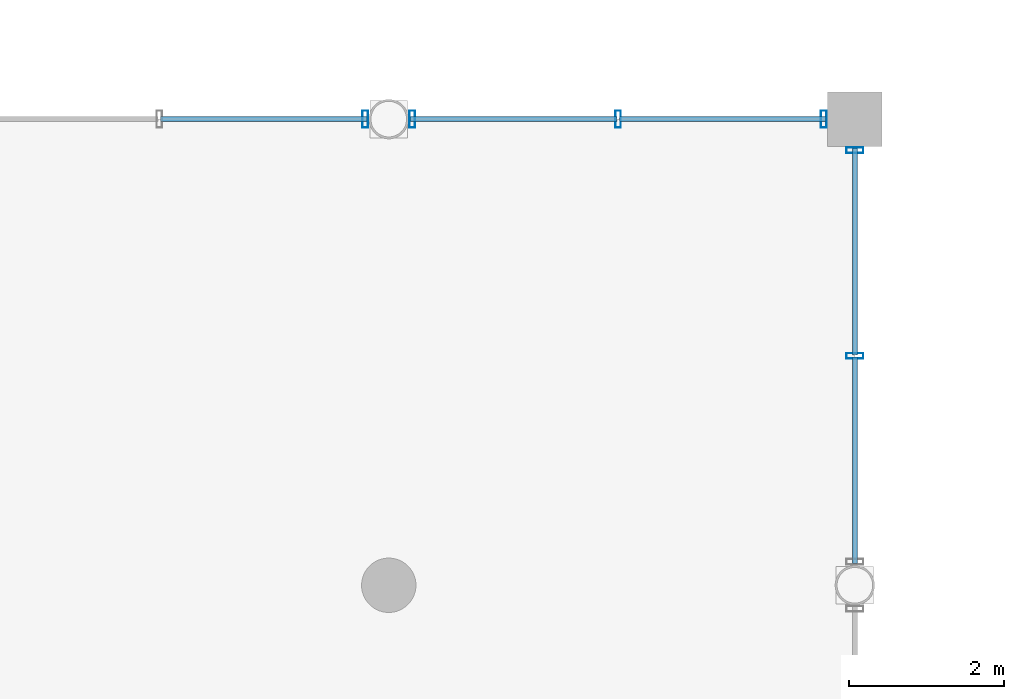
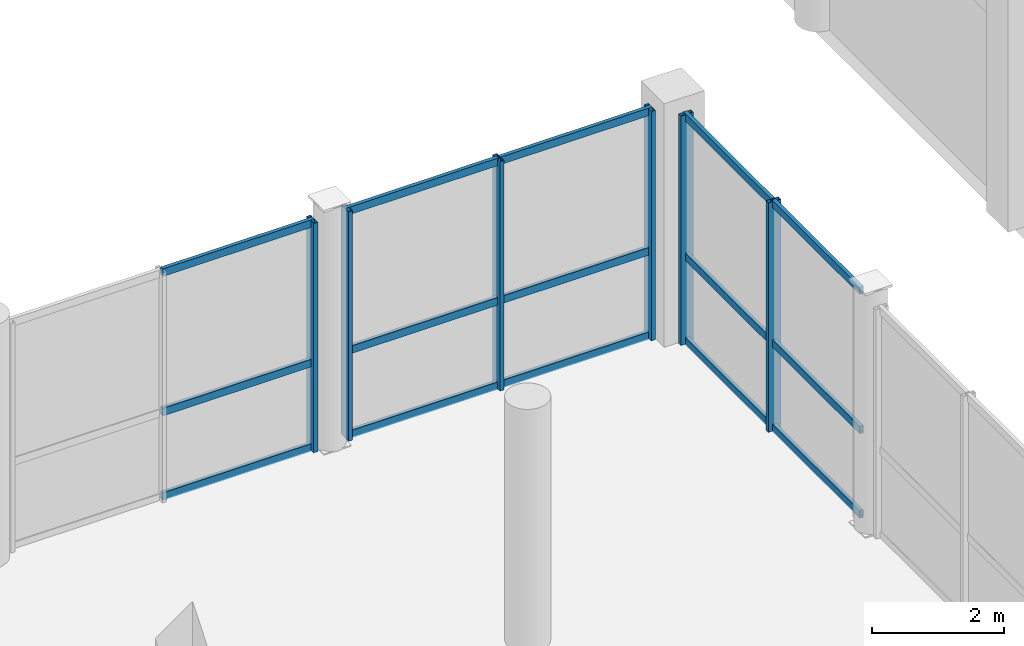
# One storey, part 62 of 116: 21 members, 3 elements without a shape of their own.
"""IFC4 building model written with IfcOpenShell, lengths in metres."""

from ifc_helpers import new_model, si_unit, direction, frame, origin, origin_2d, place, context, subcontext, project, spatial, hollow_rectangle, extrude, material, material_profile, profile_set, type_object, element, aggregate, save


model = new_model("IFC4")

# Units and contexts
model_context = context("Model", 3, precision=1e-05, world=origin(), true_north=direction((0.0, 1.0)))
body_context = subcontext(model_context, "Body", "Model", "MODEL_VIEW")
ifc_project = project(units=[si_unit("LENGTHUNIT", "METRE"), si_unit("AREAUNIT", "SQUARE_METRE"), si_unit("VOLUMEUNIT", "CUBIC_METRE"), si_unit("PLANEANGLEUNIT", "RADIAN"), si_unit("MASSUNIT", "GRAM", prefix="KILO"), si_unit("THERMODYNAMICTEMPERATUREUNIT", "KELVIN"), si_unit("POWERUNIT", "WATT")], contexts=[model_context])

# Site, building, storey
site_placement = place(None, origin())
site = spatial("IfcSite", under=ifc_project, at=site_placement, CompositionType="ELEMENT")
building_placement = place(site_placement, origin())
building = spatial("IfcBuilding", under=site, at=building_placement, Name="Phaisarnlok Congress Hotel", CompositionType="ELEMENT")
storey_placement = place(building_placement, frame((0.0, 0.0, 10.5)))
storey = spatial("IfcBuildingStorey", under=building, at=storey_placement, Name="L02", CompositionType="ELEMENT", Elevation=10.5)

# Curtain wall, members
ifc_material_1 = material(Name="Thermally Broken Unitised Aluminium & Low-E Glazing", Category="aluminium")
curtain_wall_type = type_object("IfcCurtainWallType", Name="CW-UNIT-26", PredefinedType="NOTDEFINED", material=ifc_material_1)
curtain_wall_1_placement = place(storey_placement, origin())
curtain_wall_1 = element("IfcCurtainWall", 1, at=curtain_wall_1_placement, inside=storey, type_object=curtain_wall_type, Name="Unitised curtain wall CW-26 (L02)", PredefinedType="NOTDEFINED")
ifc_material_2 = material(Name="Anodised Aluminium Alloy 6063-T6", Category="aluminium")
ifc_material_profile_1 = material_profile(ifc_material_2, hollow_rectangle(XDim=0.074951171875, YDim=0.219970703125, WallThickness=0.0048828125, at=origin_2d()), Name="ALU-M 75x220x5")
ifc_profile_set_1 = profile_set([ifc_material_profile_1], Name="Anodised Aluminium Alloy 6063-T6")
member_type_1 = type_object("IfcMemberType", Name="CWM-220", PredefinedType="MULLION", material=ifc_profile_set_1)
member_1_placement = place(storey_placement, frame((156.0, 80.951904296875, 0.0), z_axis=(0.0, 0.0, 1.0), x_axis=(0.0, 1.0, 0.0)))
member_1 = element("IfcMember", 2, at=member_1_placement, type_object=member_type_1, Name="Curtain wall mullion CWM-02", PredefinedType="MULLION", context=body_context, shape_type="SweptSolid", body=[
    extrude(hollow_rectangle(XDim=0.074951171875, YDim=0.219970703125, WallThickness=0.0048828125, at=origin_2d()), origin(), (0.0, 0.0, 1.0), 4.239990234375),
])
member_2_placement = place(storey_placement, frame((156.0, 83.60009765625, 0.0), z_axis=(0.0, 0.0, 1.0), x_axis=(0.0, 1.0, 0.0)))
member_2 = element("IfcMember", 3, at=member_2_placement, type_object=member_type_1, Name="Curtain wall mullion CWM-02", PredefinedType="MULLION", context=body_context, shape_type="SweptSolid", body=[
    extrude(hollow_rectangle(XDim=0.074951171875, YDim=0.219970703125, WallThickness=0.0048828125, at=origin_2d()), origin(), (0.0, 0.0, 1.0), 4.239990234375),
])

curtain_wall_2_placement = place(storey_placement, origin())
curtain_wall_2 = element("IfcCurtainWall", 4, at=curtain_wall_2_placement, inside=storey, type_object=curtain_wall_type, Name="Unitised curtain wall CW-26 (L02)", PredefinedType="NOTDEFINED")
member_3_placement = place(storey_placement, frame((155.60009765625, 84.0, 0.0), z_axis=(0.0, 0.0, 1.0), x_axis=(-1.0, 0.0, 0.0)))
member_3 = element("IfcMember", 5, at=member_3_placement, type_object=member_type_1, Name="Curtain wall mullion CWM-02", PredefinedType="MULLION", context=body_context, shape_type="SweptSolid", body=[
    extrude(hollow_rectangle(XDim=0.074951171875, YDim=0.219970703125, WallThickness=0.0048828125, at=origin_2d()), origin(), (0.0, 0.0, 1.0), 4.239990234375),
])
member_4_placement = place(storey_placement, frame((152.951904296875, 84.0, 0.0), z_axis=(0.0, 0.0, 1.0), x_axis=(-1.0, 0.0, 0.0)))
member_4 = element("IfcMember", 6, at=member_4_placement, type_object=member_type_1, Name="Curtain wall mullion CWM-02", PredefinedType="MULLION", context=body_context, shape_type="SweptSolid", body=[
    extrude(hollow_rectangle(XDim=0.074951171875, YDim=0.219970703125, WallThickness=0.0048828125, at=origin_2d()), origin(), (0.0, 0.0, 1.0), 4.239990234375),
])
member_5_placement = place(storey_placement, frame((150.303955078125, 84.0, 0.0), z_axis=(0.0, 0.0, 1.0), x_axis=(-1.0, 0.0, 0.0)))
member_5 = element("IfcMember", 7, at=member_5_placement, type_object=member_type_1, Name="Curtain wall mullion CWM-02", PredefinedType="MULLION", context=body_context, shape_type="SweptSolid", body=[
    extrude(hollow_rectangle(XDim=0.074951171875, YDim=0.219970703125, WallThickness=0.0048828125, at=origin_2d()), origin(), (0.0, 0.0, 1.0), 4.239990234375),
])

# Curtain wall, member
curtain_wall_3_placement = place(storey_placement, origin())
curtain_wall_3 = element("IfcCurtainWall", 8, at=curtain_wall_3_placement, inside=storey, type_object=curtain_wall_type, Name="Unitised curtain wall CW-26 (L02)", PredefinedType="NOTDEFINED")
member_6_placement = place(storey_placement, frame((149.696044921875, 84.0, 0.0), z_axis=(0.0, 0.0, 1.0), x_axis=(-1.0, 0.0, 0.0)))
member_6 = element("IfcMember", 9, at=member_6_placement, type_object=member_type_1, Name="Curtain wall mullion CWM-02", PredefinedType="MULLION", context=body_context, shape_type="SweptSolid", body=[
    extrude(hollow_rectangle(XDim=0.074951171875, YDim=0.219970703125, WallThickness=0.0048828125, at=origin_2d()), origin(), (0.0, 0.0, 1.0), 4.239990234375),
])

# Member
ifc_material_profile_2 = material_profile(ifc_material_2, hollow_rectangle(XDim=0.06494140625, YDim=0.139892578125, WallThickness=0.00390625, at=origin_2d()), Name="ALU-T 65x140x4")
ifc_profile_set_2 = profile_set([ifc_material_profile_2], Name="Anodised Aluminium Alloy 6063-T6")
member_type_2 = type_object("IfcMemberType", Name="CWT-150", PredefinedType="USERDEFINED", material=ifc_profile_set_2)
member_7_placement = place(storey_placement, frame((156.0, 78.279052734375, 0.050048828125), z_axis=(0.0, 1.0, 0.0), x_axis=(-1.0, 0.0, 0.0)))
member_7 = element("IfcMember", 10, at=member_7_placement, type_object=member_type_2, Name="Curtain wall transom CWT-01", ObjectType="TRANSOM", PredefinedType="USERDEFINED", context=body_context, shape_type="SweptSolid", body=[
    extrude(hollow_rectangle(XDim=0.06494140625, YDim=0.139892578125, WallThickness=0.00390625, at=origin_2d()), origin(), (0.0, 0.0, 1.0), 2.657958984375),
])

member_8_placement = place(storey_placement, frame((156.0, 78.279052734375, 1.611083984375), z_axis=(0.0, 1.0, 0.0), x_axis=(-1.0, 0.0, 0.0)))
member_8 = element("IfcMember", 11, at=member_8_placement, type_object=member_type_2, Name="Curtain wall transom CWT-01", ObjectType="TRANSOM", PredefinedType="USERDEFINED", context=body_context, shape_type="SweptSolid", body=[
    extrude(hollow_rectangle(XDim=0.06494140625, YDim=0.139892578125, WallThickness=0.00390625, at=origin_2d()), origin(), (0.0, 0.0, 1.0), 2.657958984375),
])

member_9_placement = place(storey_placement, frame((156.0, 78.279052734375, 4.18994140625), z_axis=(0.0, 1.0, 0.0), x_axis=(-1.0, 0.0, 0.0)))
member_9 = element("IfcMember", 12, at=member_9_placement, type_object=member_type_2, Name="Curtain wall transom CWT-01", ObjectType="TRANSOM", PredefinedType="USERDEFINED", context=body_context, shape_type="SweptSolid", body=[
    extrude(hollow_rectangle(XDim=0.06494140625, YDim=0.139892578125, WallThickness=0.00390625, at=origin_2d()), origin(), (0.0, 0.0, 1.0), 2.657958984375),
])

member_10_placement = place(storey_placement, frame((156.0, 80.967041015625, 0.050048828125), z_axis=(0.0, 1.0, 0.0), x_axis=(-1.0, 0.0, 0.0)))
member_10 = element("IfcMember", 13, at=member_10_placement, type_object=member_type_2, Name="Curtain wall transom CWT-01", ObjectType="TRANSOM", PredefinedType="USERDEFINED", context=body_context, shape_type="SweptSolid", body=[
    extrude(hollow_rectangle(XDim=0.06494140625, YDim=0.139892578125, WallThickness=0.00390625, at=origin_2d()), origin(), (0.0, 0.0, 1.0), 2.657958984375),
])

member_11_placement = place(storey_placement, frame((156.0, 80.967041015625, 1.611083984375), z_axis=(0.0, 1.0, 0.0), x_axis=(-1.0, 0.0, 0.0)))
member_11 = element("IfcMember", 14, at=member_11_placement, type_object=member_type_2, Name="Curtain wall transom CWT-01", ObjectType="TRANSOM", PredefinedType="USERDEFINED", context=body_context, shape_type="SweptSolid", body=[
    extrude(hollow_rectangle(XDim=0.06494140625, YDim=0.139892578125, WallThickness=0.00390625, at=origin_2d()), origin(), (0.0, 0.0, 1.0), 2.657958984375),
])

member_12_placement = place(storey_placement, frame((156.0, 80.967041015625, 4.18994140625), z_axis=(0.0, 1.0, 0.0), x_axis=(-1.0, 0.0, 0.0)))
member_12 = element("IfcMember", 15, at=member_12_placement, type_object=member_type_2, Name="Curtain wall transom CWT-01", ObjectType="TRANSOM", PredefinedType="USERDEFINED", context=body_context, shape_type="SweptSolid", body=[
    extrude(hollow_rectangle(XDim=0.06494140625, YDim=0.139892578125, WallThickness=0.00390625, at=origin_2d()), origin(), (0.0, 0.0, 1.0), 2.657958984375),
])

aggregate(curtain_wall_1, [member_1, member_2, member_7, member_8, member_9, member_10, member_11, member_12])

member_13_placement = place(storey_placement, frame((155.625, 84.0, 0.050048828125), z_axis=(-1.0, 0.0, 0.0), x_axis=(0.0, -1.0, 0.0)))
member_13 = element("IfcMember", 16, at=member_13_placement, type_object=member_type_2, Name="Curtain wall transom CWT-01", ObjectType="TRANSOM", PredefinedType="USERDEFINED", context=body_context, shape_type="SweptSolid", body=[
    extrude(hollow_rectangle(XDim=0.06494140625, YDim=0.139892578125, WallThickness=0.00390625, at=origin_2d()), origin(), (0.0, 0.0, 1.0), 2.657958984375),
])

member_14_placement = place(storey_placement, frame((155.625, 84.0, 1.611083984375), z_axis=(-1.0, 0.0, 0.0), x_axis=(0.0, -1.0, 0.0)))
member_14 = element("IfcMember", 17, at=member_14_placement, type_object=member_type_2, Name="Curtain wall transom CWT-01", ObjectType="TRANSOM", PredefinedType="USERDEFINED", context=body_context, shape_type="SweptSolid", body=[
    extrude(hollow_rectangle(XDim=0.06494140625, YDim=0.139892578125, WallThickness=0.00390625, at=origin_2d()), origin(), (0.0, 0.0, 1.0), 2.657958984375),
])

member_15_placement = place(storey_placement, frame((155.625, 84.0, 4.18994140625), z_axis=(-1.0, 0.0, 0.0), x_axis=(0.0, -1.0, 0.0)))
member_15 = element("IfcMember", 18, at=member_15_placement, type_object=member_type_2, Name="Curtain wall transom CWT-01", ObjectType="TRANSOM", PredefinedType="USERDEFINED", context=body_context, shape_type="SweptSolid", body=[
    extrude(hollow_rectangle(XDim=0.06494140625, YDim=0.139892578125, WallThickness=0.00390625, at=origin_2d()), origin(), (0.0, 0.0, 1.0), 2.657958984375),
])

member_16_placement = place(storey_placement, frame((152.93701171875, 84.0, 0.050048828125), z_axis=(-1.0, 0.0, 0.0), x_axis=(0.0, -1.0, 0.0)))
member_16 = element("IfcMember", 19, at=member_16_placement, type_object=member_type_2, Name="Curtain wall transom CWT-01", ObjectType="TRANSOM", PredefinedType="USERDEFINED", context=body_context, shape_type="SweptSolid", body=[
    extrude(hollow_rectangle(XDim=0.06494140625, YDim=0.139892578125, WallThickness=0.00390625, at=origin_2d()), origin(), (0.0, 0.0, 1.0), 2.657958984375),
])

member_17_placement = place(storey_placement, frame((152.93701171875, 84.0, 1.611083984375), z_axis=(-1.0, 0.0, 0.0), x_axis=(0.0, -1.0, 0.0)))
member_17 = element("IfcMember", 20, at=member_17_placement, type_object=member_type_2, Name="Curtain wall transom CWT-01", ObjectType="TRANSOM", PredefinedType="USERDEFINED", context=body_context, shape_type="SweptSolid", body=[
    extrude(hollow_rectangle(XDim=0.06494140625, YDim=0.139892578125, WallThickness=0.00390625, at=origin_2d()), origin(), (0.0, 0.0, 1.0), 2.657958984375),
])

member_18_placement = place(storey_placement, frame((152.93701171875, 84.0, 4.18994140625), z_axis=(-1.0, 0.0, 0.0), x_axis=(0.0, -1.0, 0.0)))
member_18 = element("IfcMember", 21, at=member_18_placement, type_object=member_type_2, Name="Curtain wall transom CWT-01", ObjectType="TRANSOM", PredefinedType="USERDEFINED", context=body_context, shape_type="SweptSolid", body=[
    extrude(hollow_rectangle(XDim=0.06494140625, YDim=0.139892578125, WallThickness=0.00390625, at=origin_2d()), origin(), (0.0, 0.0, 1.0), 2.657958984375),
])

aggregate(curtain_wall_2, [member_3, member_4, member_5, member_13, member_14, member_15, member_16, member_17, member_18])

member_19_placement = place(storey_placement, frame((149.720947265625, 84.0, 0.050048828125), z_axis=(-1.0, 0.0, 0.0), x_axis=(0.0, -1.0, 0.0)))
member_19 = element("IfcMember", 22, at=member_19_placement, type_object=member_type_2, Name="Curtain wall transom CWT-01", ObjectType="TRANSOM", PredefinedType="USERDEFINED", context=body_context, shape_type="SweptSolid", body=[
    extrude(hollow_rectangle(XDim=0.06494140625, YDim=0.139892578125, WallThickness=0.00390625, at=origin_2d()), origin(), (0.0, 0.0, 1.0), 2.657958984375),
])

member_20_placement = place(storey_placement, frame((149.720947265625, 84.0, 1.611083984375), z_axis=(-1.0, 0.0, 0.0), x_axis=(0.0, -1.0, 0.0)))
member_20 = element("IfcMember", 23, at=member_20_placement, type_object=member_type_2, Name="Curtain wall transom CWT-01", ObjectType="TRANSOM", PredefinedType="USERDEFINED", context=body_context, shape_type="SweptSolid", body=[
    extrude(hollow_rectangle(XDim=0.06494140625, YDim=0.139892578125, WallThickness=0.00390625, at=origin_2d()), origin(), (0.0, 0.0, 1.0), 2.657958984375),
])

member_21_placement = place(storey_placement, frame((149.720947265625, 84.0, 4.18994140625), z_axis=(-1.0, 0.0, 0.0), x_axis=(0.0, -1.0, 0.0)))
member_21 = element("IfcMember", 24, at=member_21_placement, type_object=member_type_2, Name="Curtain wall transom CWT-01", ObjectType="TRANSOM", PredefinedType="USERDEFINED", context=body_context, shape_type="SweptSolid", body=[
    extrude(hollow_rectangle(XDim=0.06494140625, YDim=0.139892578125, WallThickness=0.00390625, at=origin_2d()), origin(), (0.0, 0.0, 1.0), 2.657958984375),
])

aggregate(curtain_wall_3, [member_6, member_19, member_20, member_21])

save(model, "model.ifc")
